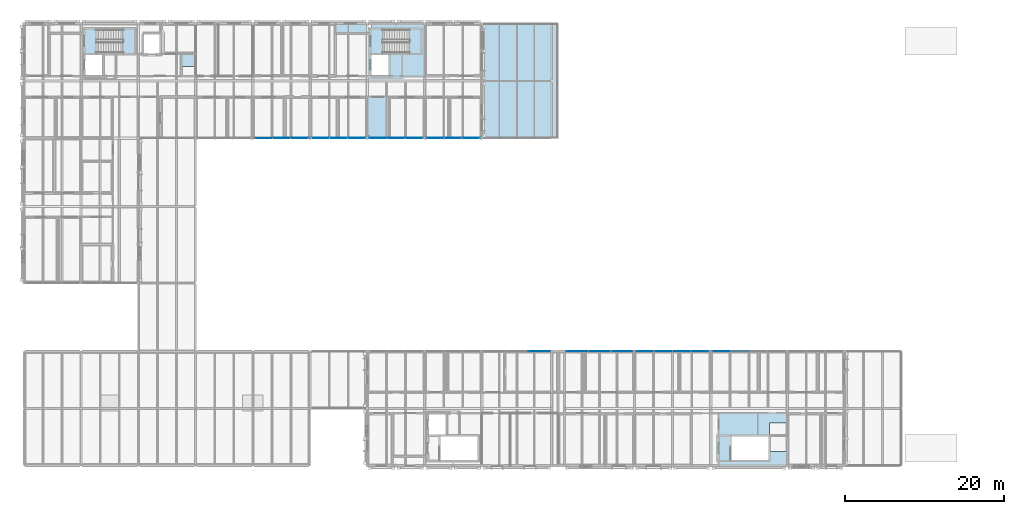
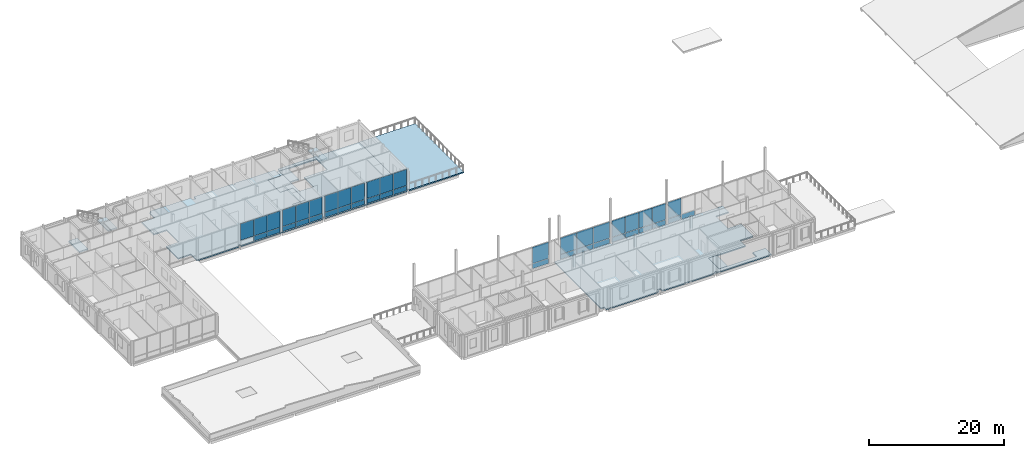
# One storey, part 34 of 57: 42 plates, 9 slabs, 10 elements without a shape of their own.
"""IFC4 building model written with IfcOpenShell, lengths in metres."""

from ifc_helpers import new_model, si_unit, direction, frame, origin, origin_2d, place, context, subcontext, project, spatial, polyline, rectangle, outline, extrude, material, layer, layer_set, type_object, element, aggregate, save


model = new_model("IFC4")

# Units and contexts
model_context = context("Model", 3, precision=1e-05, world=origin(), true_north=direction((0.0, 1.0)))
body_context = subcontext(model_context, "Body", "Model", "MODEL_VIEW")
ifc_project = project(units=[si_unit("LENGTHUNIT", "METRE"), si_unit("AREAUNIT", "SQUARE_METRE"), si_unit("VOLUMEUNIT", "CUBIC_METRE"), si_unit("PLANEANGLEUNIT", "RADIAN"), si_unit("MASSUNIT", "GRAM", prefix="KILO")], contexts=[model_context])

# Site, building, storey
site_placement = place(None, origin())
site = spatial("IfcSite", under=ifc_project, at=site_placement, CompositionType="ELEMENT")
building_placement = place(site_placement, origin())
building = spatial("IfcBuilding", under=site, at=building_placement, Name="Hawrajan Terrace Health Centre", CompositionType="ELEMENT")
storey_placement = place(building_placement, frame((0.0, 0.0, 13.199951171875)))
storey = spatial("IfcBuildingStorey", under=building, at=storey_placement, Name="L03", CompositionType="ELEMENT", Elevation=13.199951171875)

# Curtain wall, plates
ifc_material_1 = material(Name="Anodized bronze aluminium and low-E solar glazing", Category="aluminium")
curtain_wall_type_1 = type_object("IfcCurtainWallType", Name="CW_Diagnostic_SeriesM1", PredefinedType="USERDEFINED", material=ifc_material_1)
curtain_wall_1_placement = place(storey_placement, origin())
curtain_wall_1 = element("IfcCurtainWall", 1, at=curtain_wall_1_placement, inside=storey, type_object=curtain_wall_type_1, Name="Curtain wall CW-L03-167", ObjectType="UNITISED CURTAIN WALL", PredefinedType="USERDEFINED")
ifc_material_2 = material(Name="Diffused north-light insulated glazing", Category="glass")
ifc_layer_1 = layer(ifc_material_2, 0.031982421875)
ifc_layer_set_1 = layer_set([ifc_layer_1], Name="Diffused north-light insulated glazing")
plate_type_1 = type_object("IfcPlateType", Name="ClerestoryGlassPanel_32", PredefinedType="CURTAIN_PANEL", material=ifc_layer_set_1)
plate_1_placement = place(storey_placement, frame((56.31494140625, 45.39990234375, 0.9814453125), z_axis=(0.0, 0.0, 1.0), x_axis=(1.0, 0.0, 0.0)))
plate_1 = element("IfcPlate", 2, at=plate_1_placement, type_object=plate_type_1, Name="Curtain panel CW-L03-167-P1-2", PredefinedType="CURTAIN_PANEL", context=body_context, shape_type="SweptSolid", body=[
    extrude(rectangle(XDim=2.2119140625, YDim=0.031982421875, at=origin_2d()), origin(), (0.0, 0.0, 1.0), 2.929443359375),
])
plate_2_placement = place(storey_placement, frame((58.590087890625, 45.39990234375, 0.9814453125), z_axis=(0.0, 0.0, 1.0), x_axis=(1.0, 0.0, 0.0)))
plate_2 = element("IfcPlate", 3, at=plate_2_placement, type_object=plate_type_1, Name="Curtain panel CW-L03-167-P2-2", PredefinedType="CURTAIN_PANEL", context=body_context, shape_type="SweptSolid", body=[
    extrude(rectangle(XDim=2.2119140625, YDim=0.031982421875, at=origin_2d()), origin(), (0.0, 0.0, 1.0), 2.929443359375),
])
plate_3_placement = place(storey_placement, frame((60.864990234375, 45.39990234375, 0.9814453125), z_axis=(0.0, 0.0, 1.0), x_axis=(1.0, 0.0, 0.0)))
plate_3 = element("IfcPlate", 4, at=plate_3_placement, type_object=plate_type_1, Name="Curtain panel CW-L03-167-P3-2", PredefinedType="CURTAIN_PANEL", context=body_context, shape_type="SweptSolid", body=[
    extrude(rectangle(XDim=2.2119140625, YDim=0.031982421875, at=origin_2d()), origin(), (0.0, 0.0, 1.0), 2.929443359375),
])

curtain_wall_type_2 = type_object("IfcCurtainWallType", Name="CW_Court_SeriesA2", PredefinedType="USERDEFINED", material=ifc_material_1)
curtain_wall_2_placement = place(storey_placement, origin())
curtain_wall_2 = element("IfcCurtainWall", 5, at=curtain_wall_2_placement, inside=storey, type_object=curtain_wall_type_2, Name="Curtain wall CW-L03-170", ObjectType="UNITISED CURTAIN WALL", PredefinedType="USERDEFINED")
plate_4_placement = place(storey_placement, frame((82.730712890625, 18.60009765625, 0.9814453125), z_axis=(0.0, 0.0, 1.0), x_axis=(1.0, 0.0, 0.0)))
plate_4 = element("IfcPlate", 6, at=plate_4_placement, type_object=plate_type_1, Name="Curtain panel CW-L03-170-P1-2", PredefinedType="CURTAIN_PANEL", context=body_context, shape_type="SweptSolid", body=[
    extrude(rectangle(XDim=2.2431640625, YDim=0.031982421875, at=origin_2d()), origin(), (0.0, 0.0, 1.0), 2.949462890625),
])
plate_5_placement = place(storey_placement, frame((85.036865234375, 18.60009765625, 0.9814453125), z_axis=(0.0, 0.0, 1.0), x_axis=(1.0, 0.0, 0.0)))
plate_5 = element("IfcPlate", 7, at=plate_5_placement, type_object=plate_type_1, Name="Curtain panel CW-L03-170-P2-2", PredefinedType="CURTAIN_PANEL", context=body_context, shape_type="SweptSolid", body=[
    extrude(rectangle(XDim=2.2431640625, YDim=0.031982421875, at=origin_2d()), origin(), (0.0, 0.0, 1.0), 2.949462890625),
])
plate_6_placement = place(storey_placement, frame((87.343017578125, 18.60009765625, 0.9814453125), z_axis=(0.0, 0.0, 1.0), x_axis=(1.0, 0.0, 0.0)))
plate_6 = element("IfcPlate", 8, at=plate_6_placement, type_object=plate_type_1, Name="Curtain panel CW-L03-170-P3-2", PredefinedType="CURTAIN_PANEL", context=body_context, shape_type="SweptSolid", body=[
    extrude(rectangle(XDim=2.243408203125, YDim=0.031982421875, at=origin_2d()), origin(), (0.0, 0.0, 1.0), 2.949462890625),
])
plate_7_placement = place(storey_placement, frame((89.6494140625, 18.60009765625, 0.9814453125), z_axis=(0.0, 0.0, 1.0), x_axis=(1.0, 0.0, 0.0)))
plate_7 = element("IfcPlate", 9, at=plate_7_placement, type_object=plate_type_1, Name="Curtain panel CW-L03-170-P4-2", PredefinedType="CURTAIN_PANEL", context=body_context, shape_type="SweptSolid", body=[
    extrude(rectangle(XDim=2.243408203125, YDim=0.031982421875, at=origin_2d()), origin(), (0.0, 0.0, 1.0), 2.949462890625),
])

# Slabs
ifc_material_3 = material(Name="Cross-laminated timber CLT C24", Category="wood")
ifc_layer_2 = layer(ifc_material_3, 0.2099609375)
ifc_layer_set_2 = layer_set([ifc_layer_2], Name="Cross-laminated timber CLT C24")
slab_type_1 = type_object("IfcSlabType", Name="FloorSlab_CLT210", PredefinedType="FLOOR", material=ifc_layer_set_2)
slab_1_placement = place(storey_placement, frame((0.0, 0.0, -0.2099609375)))
element("IfcSlab", 10, at=slab_1_placement, inside=storey, type_object=slab_type_1, Name="Structural slab SL-L03-C-V3-Z3-1", PredefinedType="FLOOR", context=body_context, shape_type="SweptSolid", body=[
    extrude(outline(polyline([(71.804931640625, 18.60009765625), (81.39990234375, 18.60009765625), (81.39990234375, 18.320068359375), (81.679931640625, 18.320068359375), (81.679931640625, 18.60009765625), (91.0, 18.60009765625), (100.60009765625, 18.60009765625), (100.60009765625, 18.320068359375), (100.60009765625, 16.800048828125), (98.39990234375, 16.800048828125), (98.39990234375, 13.199951171875), (100.60009765625, 13.199951171875), (100.60009765625, 11.39990234375), (100.60009765625, 9.60009765625), (98.39990234375, 9.60009765625), (98.39990234375, 8.0), (92.0, 8.0), (92.0, 4.800048828125), (98.39990234375, 4.800048828125), (98.39990234375, 6.0), (100.60009765625, 6.0), (100.60009765625, 4.199951171875), (91.280029296875, 4.199951171875), (91.280029296875, 4.47998046875), (91.0, 4.47998046875), (91.0, 4.199951171875), (81.949951171875, 4.199951171875), (81.949951171875, 4.75), (81.39990234375, 4.75), (81.39990234375, 4.199951171875), (72.35009765625, 4.199951171875), (72.35009765625, 4.75), (71.804931640625, 4.75), (71.804931640625, 11.39990234375), (71.804931640625, 18.60009765625)])), origin(), (0.0, 0.0, 1.0), 0.2099609375),
])
slab_2_placement = place(storey_placement, frame((0.0, 0.0, -0.2099609375)))
element("IfcSlab", 11, at=slab_2_placement, inside=storey, type_object=slab_type_1, Name="Structural slab SL-L03-W-V2-Z1-1", PredefinedType="FLOOR", context=body_context, shape_type="SweptSolid", body=[
    extrude(outline(polyline([(26.47998046875, 59.52001953125), (26.47998046875, 59.800048828125), (33.39990234375, 59.800048828125), (33.39990234375, 59.25), (33.949951171875, 59.25), (33.949951171875, 59.800048828125), (40.60009765625, 59.800048828125), (40.60009765625, 59.52001953125), (40.8798828125, 59.52001953125), (40.8798828125, 59.800048828125), (47.800048828125, 59.800048828125), (47.800048828125, 59.25), (47.800048828125, 58.0), (45.60009765625, 58.0), (45.60009765625, 54.39990234375), (47.800048828125, 54.39990234375), (47.800048828125, 52.60009765625), (47.800048828125, 50.800048828125), (45.60009765625, 50.800048828125), (45.60009765625, 47.199951171875), (47.800048828125, 47.199951171875), (47.800048828125, 45.679931640625), (47.800048828125, 45.39990234375), (40.60009765625, 45.39990234375), (33.679931640625, 45.39990234375), (33.679931640625, 45.679931640625), (33.39990234375, 45.679931640625), (33.39990234375, 45.39990234375), (26.201904296875, 45.39990234375), (26.201904296875, 47.201904296875), (24.001953125, 47.201904296875), (24.001953125, 50.798095703125), (26.201904296875, 50.798095703125), (26.201904296875, 54.402099609375), (24.001953125, 54.402099609375), (24.001953125, 57.998046875), (26.201904296875, 57.998046875), (26.201904296875, 59.52001953125), (26.47998046875, 59.52001953125)])), origin(), (0.0, 0.0, 1.0), 0.2099609375),
])
slab_3_placement = place(storey_placement, frame((0.0, 0.0, -0.2099609375)))
element("IfcSlab", 12, at=slab_3_placement, inside=storey, type_object=slab_type_1, Name="Structural slab SL-L03-W-V2-Z2-1", PredefinedType="FLOOR", context=body_context, shape_type="SweptSolid", body=[
    extrude(outline(polyline([(48.35009765625, 59.25), (48.35009765625, 59.800048828125), (55.0, 59.800048828125), (55.0, 59.52001953125), (55.280029296875, 59.52001953125), (55.280029296875, 59.800048828125), (62.199951171875, 59.800048828125), (62.199951171875, 52.60009765625), (62.199951171875, 45.679931640625), (62.199951171875, 45.39990234375), (55.0, 45.39990234375), (48.080078125, 45.39990234375), (48.080078125, 45.679931640625), (47.802001953125, 45.679931640625), (47.802001953125, 47.201904296875), (45.60205078125, 47.201904296875), (45.60205078125, 50.798095703125), (47.802001953125, 50.798095703125), (47.802001953125, 54.402099609375), (45.60205078125, 54.402099609375), (45.60205078125, 57.998046875), (47.802001953125, 57.998046875), (47.802001953125, 59.25), (48.35009765625, 59.25)]), holes=[polyline([(48.199951171875, 59.199951171875), (48.199951171875, 56.0), (48.199951171875, 53.199951171875), (50.60009765625, 53.199951171875), (50.60009765625, 56.0), (54.60009765625, 56.0), (54.60009765625, 59.199951171875), (48.199951171875, 59.199951171875)])]), origin(), (0.0, 0.0, 1.0), 0.2099609375),
])

# Curtain wall, plates
curtain_wall_type_3 = type_object("IfcCurtainWallType", Name="CW_Clerestory_SeriesG3", PredefinedType="USERDEFINED", material=ifc_material_1)
curtain_wall_3_placement = place(storey_placement, origin())
curtain_wall_3 = element("IfcCurtainWall", 13, at=curtain_wall_3_placement, inside=storey, type_object=curtain_wall_type_3, Name="Curtain wall CW-L03-162", ObjectType="UNITISED CURTAIN WALL", PredefinedType="USERDEFINED")
ifc_material_4 = material(Name="Insulated anodized bronze spandrel panel")
ifc_layer_3 = layer(ifc_material_4, 0.048095703125)
ifc_layer_set_3 = layer_set([ifc_layer_3], Name="Insulated anodized bronze spandrel panel")
plate_type_2 = type_object("IfcPlateType", Name="SpandrelPanel_Bronze48", PredefinedType="CURTAIN_PANEL", material=ifc_layer_set_3)
plate_8_placement = place(storey_placement, frame((37.010009765625, 45.39990234375, 0.05908203125), z_axis=(0.0, 0.0, 1.0), x_axis=(1.0, 0.0, 0.0)))
plate_8 = element("IfcPlate", 14, at=plate_8_placement, type_object=plate_type_2, Name="Curtain panel CW-L03-162-P2-1", PredefinedType="CURTAIN_PANEL", context=body_context, shape_type="SweptSolid", body=[
    extrude(rectangle(XDim=2.225341796875, YDim=0.048095703125, at=origin_2d()), origin(), (0.0, 0.0, 1.0), 0.864501953125),
])
plate_9_placement = place(storey_placement, frame((39.288330078125, 45.39990234375, 0.05908203125), z_axis=(0.0, 0.0, 1.0), x_axis=(1.0, 0.0, 0.0)))
plate_9 = element("IfcPlate", 15, at=plate_9_placement, type_object=plate_type_2, Name="Curtain panel CW-L03-162-P3-1", PredefinedType="CURTAIN_PANEL", context=body_context, shape_type="SweptSolid", body=[
    extrude(rectangle(XDim=2.225341796875, YDim=0.048095703125, at=origin_2d()), origin(), (0.0, 0.0, 1.0), 0.864501953125),
])

# Curtain wall, plate
curtain_wall_type_4 = type_object("IfcCurtainWallType", Name="CW_Diagnostic_SeriesM2", PredefinedType="USERDEFINED", material=ifc_material_1)
curtain_wall_4_placement = place(storey_placement, origin())
curtain_wall_4 = element("IfcCurtainWall", 16, at=curtain_wall_4_placement, inside=storey, type_object=curtain_wall_type_4, Name="Curtain wall CW-L03-168", ObjectType="UNITISED CURTAIN WALL", PredefinedType="USERDEFINED")
plate_10_placement = place(storey_placement, frame((69.401611328125, 18.60009765625, 0.05908203125), z_axis=(0.0, 0.0, 1.0), x_axis=(1.0, 0.0, 0.0)))
plate_10 = element("IfcPlate", 17, at=plate_10_placement, type_object=plate_type_2, Name="Curtain panel CW-L03-168-P3-1", PredefinedType="CURTAIN_PANEL", context=body_context, shape_type="SweptSolid", body=[
    extrude(rectangle(XDim=2.7587890625, YDim=0.048095703125, at=origin_2d()), origin(), (0.0, 0.0, 1.0), 0.864501953125),
])

# Plate
plate_11_placement = place(storey_placement, frame((82.730712890625, 18.60009765625, 0.06884765625), z_axis=(0.0, 0.0, 1.0), x_axis=(1.0, 0.0, 0.0)))
plate_11 = element("IfcPlate", 18, at=plate_11_placement, type_object=plate_type_2, Name="Curtain panel CW-L03-170-P1-1", PredefinedType="CURTAIN_PANEL", context=body_context, shape_type="SweptSolid", body=[
    extrude(rectangle(XDim=2.2431640625, YDim=0.048095703125, at=origin_2d()), origin(), (0.0, 0.0, 1.0), 0.849609375),
])

plate_12_placement = place(storey_placement, frame((85.036865234375, 18.60009765625, 0.06884765625), z_axis=(0.0, 0.0, 1.0), x_axis=(1.0, 0.0, 0.0)))
plate_12 = element("IfcPlate", 19, at=plate_12_placement, type_object=plate_type_2, Name="Curtain panel CW-L03-170-P2-1", PredefinedType="CURTAIN_PANEL", context=body_context, shape_type="SweptSolid", body=[
    extrude(rectangle(XDim=2.2431640625, YDim=0.048095703125, at=origin_2d()), origin(), (0.0, 0.0, 1.0), 0.849609375),
])

plate_13_placement = place(storey_placement, frame((87.343017578125, 18.60009765625, 0.06884765625), z_axis=(0.0, 0.0, 1.0), x_axis=(1.0, 0.0, 0.0)))
plate_13 = element("IfcPlate", 20, at=plate_13_placement, type_object=plate_type_2, Name="Curtain panel CW-L03-170-P3-1", PredefinedType="CURTAIN_PANEL", context=body_context, shape_type="SweptSolid", body=[
    extrude(rectangle(XDim=2.243408203125, YDim=0.048095703125, at=origin_2d()), origin(), (0.0, 0.0, 1.0), 0.849609375),
])

plate_14_placement = place(storey_placement, frame((89.6494140625, 18.60009765625, 0.06884765625), z_axis=(0.0, 0.0, 1.0), x_axis=(1.0, 0.0, 0.0)))
plate_14 = element("IfcPlate", 21, at=plate_14_placement, type_object=plate_type_2, Name="Curtain panel CW-L03-170-P4-1", PredefinedType="CURTAIN_PANEL", context=body_context, shape_type="SweptSolid", body=[
    extrude(rectangle(XDim=2.243408203125, YDim=0.048095703125, at=origin_2d()), origin(), (0.0, 0.0, 1.0), 0.849609375),
])

aggregate(curtain_wall_2, [plate_11, plate_4, plate_12, plate_5, plate_13, plate_6, plate_14, plate_7])

# Curtain wall, plates
curtain_wall_type_5 = type_object("IfcCurtainWallType", Name="CW_Vestibule_SeriesH1", PredefinedType="USERDEFINED", material=ifc_material_1)
curtain_wall_5_placement = place(storey_placement, origin())
curtain_wall_5 = element("IfcCurtainWall", 22, at=curtain_wall_5_placement, inside=storey, type_object=curtain_wall_type_5, Name="Curtain wall CW-L03-163", ObjectType="UNITISED CURTAIN WALL", PredefinedType="USERDEFINED")
ifc_material_5 = material(Name="Insulated reconstituted coral-stone spandrel", Category="masonry")
ifc_layer_4 = layer(ifc_material_5, 0.055908203125)
ifc_layer_set_4 = layer_set([ifc_layer_4], Name="Insulated reconstituted coral-stone spandrel")
plate_type_3 = type_object("IfcPlateType", Name="SpandrelPanel_Coral56", PredefinedType="CURTAIN_PANEL", material=ifc_layer_set_4)
plate_15_placement = place(storey_placement, frame((41.91162109375, 45.39990234375, 0.05908203125), z_axis=(0.0, 0.0, 1.0), x_axis=(1.0, 0.0, 0.0)))
plate_15 = element("IfcPlate", 23, at=plate_15_placement, type_object=plate_type_3, Name="Curtain panel CW-L03-163-P1-1", PredefinedType="CURTAIN_PANEL", context=body_context, shape_type="SweptSolid", body=[
    extrude(rectangle(XDim=2.225341796875, YDim=0.055908203125, at=origin_2d()), origin(), (0.0, 0.0, 1.0), 0.864501953125),
])
plate_16_placement = place(storey_placement, frame((44.18994140625, 45.39990234375, 0.05908203125), z_axis=(0.0, 0.0, 1.0), x_axis=(1.0, 0.0, 0.0)))
plate_16 = element("IfcPlate", 24, at=plate_16_placement, type_object=plate_type_3, Name="Curtain panel CW-L03-163-P2-1", PredefinedType="CURTAIN_PANEL", context=body_context, shape_type="SweptSolid", body=[
    extrude(rectangle(XDim=2.225341796875, YDim=0.055908203125, at=origin_2d()), origin(), (0.0, 0.0, 1.0), 0.864501953125),
])
plate_17_placement = place(storey_placement, frame((46.46826171875, 45.39990234375, 0.05908203125), z_axis=(0.0, 0.0, 1.0), x_axis=(1.0, 0.0, 0.0)))
plate_17 = element("IfcPlate", 25, at=plate_17_placement, type_object=plate_type_3, Name="Curtain panel CW-L03-163-P3-1", PredefinedType="CURTAIN_PANEL", context=body_context, shape_type="SweptSolid", body=[
    extrude(rectangle(XDim=2.225341796875, YDim=0.055908203125, at=origin_2d()), origin(), (0.0, 0.0, 1.0), 0.864501953125),
])

curtain_wall_type_6 = type_object("IfcCurtainWallType", Name="CW_Terrace_SeriesK1", PredefinedType="USERDEFINED", material=ifc_material_1)
curtain_wall_6_placement = place(storey_placement, origin())
curtain_wall_6 = element("IfcCurtainWall", 26, at=curtain_wall_6_placement, inside=storey, type_object=curtain_wall_type_6, Name="Curtain wall CW-L03-165", ObjectType="UNITISED CURTAIN WALL", PredefinedType="USERDEFINED")
plate_18_placement = place(storey_placement, frame((49.131591796875, 45.39990234375, 0.05908203125), z_axis=(0.0, 0.0, 1.0), x_axis=(1.0, 0.0, 0.0)))
plate_18 = element("IfcPlate", 27, at=plate_18_placement, type_object=plate_type_3, Name="Curtain panel CW-L03-165-P1-1", PredefinedType="CURTAIN_PANEL", context=body_context, shape_type="SweptSolid", body=[
    extrude(rectangle(XDim=2.225341796875, YDim=0.055908203125, at=origin_2d()), origin(), (0.0, 0.0, 1.0), 0.864501953125),
])
plate_19_placement = place(storey_placement, frame((51.409912109375, 45.39990234375, 0.05908203125), z_axis=(0.0, 0.0, 1.0), x_axis=(1.0, 0.0, 0.0)))
plate_19 = element("IfcPlate", 28, at=plate_19_placement, type_object=plate_type_3, Name="Curtain panel CW-L03-165-P2-1", PredefinedType="CURTAIN_PANEL", context=body_context, shape_type="SweptSolid", body=[
    extrude(rectangle(XDim=2.225341796875, YDim=0.055908203125, at=origin_2d()), origin(), (0.0, 0.0, 1.0), 0.864501953125),
])
plate_20_placement = place(storey_placement, frame((53.688232421875, 45.39990234375, 0.05908203125), z_axis=(0.0, 0.0, 1.0), x_axis=(1.0, 0.0, 0.0)))
plate_20 = element("IfcPlate", 29, at=plate_20_placement, type_object=plate_type_3, Name="Curtain panel CW-L03-165-P3-1", PredefinedType="CURTAIN_PANEL", context=body_context, shape_type="SweptSolid", body=[
    extrude(rectangle(XDim=2.225341796875, YDim=0.055908203125, at=origin_2d()), origin(), (0.0, 0.0, 1.0), 0.864501953125),
])

# Plate
plate_21_placement = place(storey_placement, frame((56.31494140625, 45.39990234375, 0.06884765625), z_axis=(0.0, 0.0, 1.0), x_axis=(1.0, 0.0, 0.0)))
plate_21 = element("IfcPlate", 30, at=plate_21_placement, type_object=plate_type_3, Name="Curtain panel CW-L03-167-P1-1", PredefinedType="CURTAIN_PANEL", context=body_context, shape_type="SweptSolid", body=[
    extrude(rectangle(XDim=2.2119140625, YDim=0.055908203125, at=origin_2d()), origin(), (0.0, 0.0, 1.0), 0.849609375),
])

plate_22_placement = place(storey_placement, frame((58.590087890625, 45.39990234375, 0.06884765625), z_axis=(0.0, 0.0, 1.0), x_axis=(1.0, 0.0, 0.0)))
plate_22 = element("IfcPlate", 31, at=plate_22_placement, type_object=plate_type_3, Name="Curtain panel CW-L03-167-P2-1", PredefinedType="CURTAIN_PANEL", context=body_context, shape_type="SweptSolid", body=[
    extrude(rectangle(XDim=2.2119140625, YDim=0.055908203125, at=origin_2d()), origin(), (0.0, 0.0, 1.0), 0.849609375),
])

plate_23_placement = place(storey_placement, frame((60.864990234375, 45.39990234375, 0.06884765625), z_axis=(0.0, 0.0, 1.0), x_axis=(1.0, 0.0, 0.0)))
plate_23 = element("IfcPlate", 32, at=plate_23_placement, type_object=plate_type_3, Name="Curtain panel CW-L03-167-P3-1", PredefinedType="CURTAIN_PANEL", context=body_context, shape_type="SweptSolid", body=[
    extrude(rectangle(XDim=2.2119140625, YDim=0.055908203125, at=origin_2d()), origin(), (0.0, 0.0, 1.0), 0.849609375),
])

aggregate(curtain_wall_1, [plate_21, plate_1, plate_22, plate_2, plate_23, plate_3])

# Curtain wall, plates
curtain_wall_type_7 = type_object("IfcCurtainWallType", Name="CW_Court_SeriesA1", PredefinedType="USERDEFINED", material=ifc_material_1)
curtain_wall_7_placement = place(storey_placement, origin())
curtain_wall_7 = element("IfcCurtainWall", 33, at=curtain_wall_7_placement, inside=storey, type_object=curtain_wall_type_7, Name="Curtain wall CW-L03-169", ObjectType="UNITISED CURTAIN WALL", PredefinedType="USERDEFINED")
plate_24_placement = place(storey_placement, frame((74.1982421875, 18.60009765625, 0.05908203125), z_axis=(0.0, 0.0, 1.0), x_axis=(1.0, 0.0, 0.0)))
plate_24 = element("IfcPlate", 34, at=plate_24_placement, type_object=plate_type_3, Name="Curtain panel CW-L03-169-P1-1", PredefinedType="CURTAIN_PANEL", context=body_context, shape_type="SweptSolid", body=[
    extrude(rectangle(XDim=2.7587890625, YDim=0.055908203125, at=origin_2d()), origin(), (0.0, 0.0, 1.0), 0.864501953125),
])
plate_25_placement = place(storey_placement, frame((77.010009765625, 18.60009765625, 0.05908203125), z_axis=(0.0, 0.0, 1.0), x_axis=(1.0, 0.0, 0.0)))
plate_25 = element("IfcPlate", 35, at=plate_25_placement, type_object=plate_type_3, Name="Curtain panel CW-L03-169-P2-1", PredefinedType="CURTAIN_PANEL", context=body_context, shape_type="SweptSolid", body=[
    extrude(rectangle(XDim=2.7587890625, YDim=0.055908203125, at=origin_2d()), origin(), (0.0, 0.0, 1.0), 0.864501953125),
])
plate_26_placement = place(storey_placement, frame((79.82177734375, 18.60009765625, 0.05908203125), z_axis=(0.0, 0.0, 1.0), x_axis=(1.0, 0.0, 0.0)))
plate_26 = element("IfcPlate", 36, at=plate_26_placement, type_object=plate_type_3, Name="Curtain panel CW-L03-169-P3-1", PredefinedType="CURTAIN_PANEL", context=body_context, shape_type="SweptSolid", body=[
    extrude(rectangle(XDim=2.7587890625, YDim=0.055908203125, at=origin_2d()), origin(), (0.0, 0.0, 1.0), 0.864501953125),
])

curtain_wall_type_8 = type_object("IfcCurtainWallType", Name="CW_Court_SeriesA3", PredefinedType="USERDEFINED", material=ifc_material_1)
curtain_wall_8_placement = place(storey_placement, origin())
curtain_wall_8 = element("IfcCurtainWall", 37, at=curtain_wall_8_placement, inside=storey, type_object=curtain_wall_type_8, Name="Curtain wall CW-L03-171", ObjectType="UNITISED CURTAIN WALL", PredefinedType="USERDEFINED")
plate_27_placement = place(storey_placement, frame((92.346923828125, 18.60009765625, 0.05908203125), z_axis=(0.0, 0.0, 1.0), x_axis=(1.0, 0.0, 0.0)))
plate_27 = element("IfcPlate", 38, at=plate_27_placement, type_object=plate_type_3, Name="Curtain panel CW-L03-171-P1-1", PredefinedType="CURTAIN_PANEL", context=body_context, shape_type="SweptSolid", body=[
    extrude(rectangle(XDim=2.255615234375, YDim=0.055908203125, at=origin_2d()), origin(), (0.0, 0.0, 1.0), 0.864501953125),
])
plate_28_placement = place(storey_placement, frame((94.655517578125, 18.60009765625, 0.05908203125), z_axis=(0.0, 0.0, 1.0), x_axis=(1.0, 0.0, 0.0)))
plate_28 = element("IfcPlate", 39, at=plate_28_placement, type_object=plate_type_3, Name="Curtain panel CW-L03-171-P2-1", PredefinedType="CURTAIN_PANEL", context=body_context, shape_type="SweptSolid", body=[
    extrude(rectangle(XDim=2.255615234375, YDim=0.055908203125, at=origin_2d()), origin(), (0.0, 0.0, 1.0), 0.864501953125),
])

# Stair, slabs
ifc_material_6 = material(Name="Concrete C40/50", Category="concrete")
stair_type = type_object("IfcStairType", Name="Stair_4200_W1300", PredefinedType="HALF_TURN_STAIR", material=ifc_material_6)
stair_1_placement = place(storey_placement, origin())
stair_1 = element("IfcStair", 40, at=stair_1_placement, inside=storey, type_object=stair_type, Name="Stair ST-1-L03", PredefinedType="HALF_TURN_STAIR")
ifc_layer_5 = layer(ifc_material_6, 0.219970703125)
ifc_layer_set_5 = layer_set([ifc_layer_5], Name="Concrete C40/50")
slab_type_2 = type_object("IfcSlabType", Name="StairLanding_RC220", PredefinedType="LANDING", material=ifc_layer_set_5)
slab_4_placement = place(storey_placement, frame((0.0, 0.0, -0.219970703125)))
slab_4 = element("IfcSlab", 41, at=slab_4_placement, type_object=slab_type_2, Name="Stair floor landing ST-1-L03-L0", PredefinedType="LANDING", context=body_context, shape_type="SweptSolid", body=[
    extrude(outline(polyline([(12.199951171875, 56.0), (13.699951171875, 56.0), (13.699951171875, 59.199951171875), (12.199951171875, 59.199951171875), (12.199951171875, 56.0)])), origin(), (0.0, 0.0, 1.0), 0.219970703125),
])
slab_5_placement = place(storey_placement, frame((0.0, 0.0, 1.880126953125)))
slab_5 = element("IfcSlab", 42, at=slab_5_placement, type_object=slab_type_2, Name="Stair half landing ST-1-L03-L1", PredefinedType="LANDING", context=body_context, shape_type="SweptSolid", body=[
    extrude(outline(polyline([(17.10009765625, 56.0), (18.60009765625, 56.0), (18.60009765625, 59.199951171875), (17.10009765625, 59.199951171875), (17.10009765625, 56.0)])), origin(), (0.0, 0.0, 1.0), 0.219970703125),
])
aggregate(stair_1, [slab_4, slab_5])

stair_2_placement = place(storey_placement, origin())
stair_2 = element("IfcStair", 43, at=stair_2_placement, inside=storey, type_object=stair_type, Name="Stair ST-2-L03", PredefinedType="HALF_TURN_STAIR")
slab_6_placement = place(storey_placement, frame((0.0, 0.0, -0.219970703125)))
slab_6 = element("IfcSlab", 44, at=slab_6_placement, type_object=slab_type_2, Name="Stair floor landing ST-2-L03-L0", PredefinedType="LANDING", context=body_context, shape_type="SweptSolid", body=[
    extrude(outline(polyline([(48.199951171875, 56.0), (49.699951171875, 56.0), (49.699951171875, 59.199951171875), (48.199951171875, 59.199951171875), (48.199951171875, 56.0)])), origin(), (0.0, 0.0, 1.0), 0.219970703125),
])
slab_7_placement = place(storey_placement, frame((0.0, 0.0, 1.880126953125)))
slab_7 = element("IfcSlab", 45, at=slab_7_placement, type_object=slab_type_2, Name="Stair half landing ST-2-L03-L1", PredefinedType="LANDING", context=body_context, shape_type="SweptSolid", body=[
    extrude(outline(polyline([(53.10009765625, 56.0), (54.60009765625, 56.0), (54.60009765625, 59.199951171875), (53.10009765625, 59.199951171875), (53.10009765625, 56.0)])), origin(), (0.0, 0.0, 1.0), 0.219970703125),
])
aggregate(stair_2, [slab_6, slab_7])

# Slabs
slab_8_placement = place(storey_placement, frame((0.0, 0.0, -0.219970703125)))
element("IfcSlab", 46, at=slab_8_placement, inside=storey, type_object=slab_type_2, Name="Stair top arrival landing ST-5", PredefinedType="LANDING", context=body_context, shape_type="SweptSolid", body=[
    extrude(outline(polyline([(92.0, 4.800048828125), (93.5, 4.800048828125), (93.5, 8.0), (92.0, 8.0), (92.0, 4.800048828125)])), origin(), (0.0, 0.0, 1.0), 0.219970703125),
])
ifc_layer_6 = layer(ifc_material_3, 0.219970703125)
ifc_layer_set_6 = layer_set([ifc_layer_6], Name="Cross-laminated timber CLT C24")
slab_type_3 = type_object("IfcSlabType", Name="TerraceDeck_CLT220", PredefinedType="FLOOR", material=ifc_layer_set_6)
slab_9_placement = place(storey_placement, frame((0.0, 0.0, -0.219970703125)))
element("IfcSlab", 47, at=slab_9_placement, inside=storey, type_object=slab_type_3, Name="External terrace deck TR-L03-TERR-L03-V2E-W-1", PredefinedType="FLOOR", context=body_context, shape_type="SweptSolid", body=[
    extrude(outline(polyline([(62.47998046875, 45.39990234375), (62.47998046875, 45.679931640625), (62.199951171875, 45.679931640625), (62.199951171875, 52.60009765625), (62.199951171875, 59.800048828125), (71.794921875, 59.800048828125), (71.794921875, 52.60009765625), (71.794921875, 45.39990234375), (62.47998046875, 45.39990234375)])), origin(), (0.0, 0.0, 1.0), 0.219970703125),
])

# Plate
ifc_material_7 = material(Name="Double-glazed solar control low-E glass", Category="glass")
ifc_layer_7 = layer(ifc_material_7, 0.028076171875)
ifc_layer_set_7 = layer_set([ifc_layer_7], Name="Double-glazed solar control low-E glass")
plate_type_4 = type_object("IfcPlateType", Name="VisionGlassPanel_28", PredefinedType="CURTAIN_PANEL", material=ifc_layer_set_7)
plate_29_placement = place(storey_placement, frame((34.731689453125, 45.39990234375, 0.9765625), z_axis=(0.0, 0.0, 1.0), x_axis=(1.0, 0.0, 0.0)))
plate_29 = element("IfcPlate", 48, at=plate_29_placement, type_object=plate_type_4, Name="Curtain panel CW-L03-162-P1-2", PredefinedType="CURTAIN_PANEL", context=body_context, shape_type="SweptSolid", body=[
    extrude(rectangle(XDim=2.225341796875, YDim=0.028076171875, at=origin_2d()), origin(), (0.0, 0.0, 1.0), 2.974609375),
])

plate_30_placement = place(storey_placement, frame((37.010009765625, 45.39990234375, 0.9765625), z_axis=(0.0, 0.0, 1.0), x_axis=(1.0, 0.0, 0.0)))
plate_30 = element("IfcPlate", 49, at=plate_30_placement, type_object=plate_type_4, Name="Curtain panel CW-L03-162-P2-2", PredefinedType="CURTAIN_PANEL", context=body_context, shape_type="SweptSolid", body=[
    extrude(rectangle(XDim=2.225341796875, YDim=0.028076171875, at=origin_2d()), origin(), (0.0, 0.0, 1.0), 2.974609375),
])

plate_31_placement = place(storey_placement, frame((39.288330078125, 45.39990234375, 0.9765625), z_axis=(0.0, 0.0, 1.0), x_axis=(1.0, 0.0, 0.0)))
plate_31 = element("IfcPlate", 50, at=plate_31_placement, type_object=plate_type_4, Name="Curtain panel CW-L03-162-P3-2", PredefinedType="CURTAIN_PANEL", context=body_context, shape_type="SweptSolid", body=[
    extrude(rectangle(XDim=2.225341796875, YDim=0.028076171875, at=origin_2d()), origin(), (0.0, 0.0, 1.0), 2.974609375),
])

aggregate(curtain_wall_3, [plate_29, plate_8, plate_30, plate_9, plate_31])

plate_32_placement = place(storey_placement, frame((49.131591796875, 45.39990234375, 0.9765625), z_axis=(0.0, 0.0, 1.0), x_axis=(1.0, 0.0, 0.0)))
plate_32 = element("IfcPlate", 51, at=plate_32_placement, type_object=plate_type_4, Name="Curtain panel CW-L03-165-P1-2", PredefinedType="CURTAIN_PANEL", context=body_context, shape_type="SweptSolid", body=[
    extrude(rectangle(XDim=2.225341796875, YDim=0.028076171875, at=origin_2d()), origin(), (0.0, 0.0, 1.0), 2.974609375),
])

plate_33_placement = place(storey_placement, frame((51.409912109375, 45.39990234375, 0.9765625), z_axis=(0.0, 0.0, 1.0), x_axis=(1.0, 0.0, 0.0)))
plate_33 = element("IfcPlate", 52, at=plate_33_placement, type_object=plate_type_4, Name="Curtain panel CW-L03-165-P2-2", PredefinedType="CURTAIN_PANEL", context=body_context, shape_type="SweptSolid", body=[
    extrude(rectangle(XDim=2.225341796875, YDim=0.028076171875, at=origin_2d()), origin(), (0.0, 0.0, 1.0), 2.974609375),
])

plate_34_placement = place(storey_placement, frame((53.688232421875, 45.39990234375, 0.9765625), z_axis=(0.0, 0.0, 1.0), x_axis=(1.0, 0.0, 0.0)))
plate_34 = element("IfcPlate", 53, at=plate_34_placement, type_object=plate_type_4, Name="Curtain panel CW-L03-165-P3-2", PredefinedType="CURTAIN_PANEL", context=body_context, shape_type="SweptSolid", body=[
    extrude(rectangle(XDim=2.225341796875, YDim=0.028076171875, at=origin_2d()), origin(), (0.0, 0.0, 1.0), 2.974609375),
])

aggregate(curtain_wall_6, [plate_18, plate_32, plate_19, plate_33, plate_20, plate_34])

plate_35_placement = place(storey_placement, frame((69.401611328125, 18.60009765625, 0.9765625), z_axis=(0.0, 0.0, 1.0), x_axis=(1.0, 0.0, 0.0)))
plate_35 = element("IfcPlate", 54, at=plate_35_placement, type_object=plate_type_4, Name="Curtain panel CW-L03-168-P3-2", PredefinedType="CURTAIN_PANEL", context=body_context, shape_type="SweptSolid", body=[
    extrude(rectangle(XDim=2.7587890625, YDim=0.028076171875, at=origin_2d()), origin(), (0.0, 0.0, 1.0), 2.964599609375),
])

aggregate(curtain_wall_4, [plate_10, plate_35])

plate_36_placement = place(storey_placement, frame((92.346923828125, 18.60009765625, 0.9765625), z_axis=(0.0, 0.0, 1.0), x_axis=(1.0, 0.0, 0.0)))
plate_36 = element("IfcPlate", 55, at=plate_36_placement, type_object=plate_type_4, Name="Curtain panel CW-L03-171-P1-2", PredefinedType="CURTAIN_PANEL", context=body_context, shape_type="SweptSolid", body=[
    extrude(rectangle(XDim=2.255615234375, YDim=0.028076171875, at=origin_2d()), origin(), (0.0, 0.0, 1.0), 2.964599609375),
])

aggregate(curtain_wall_8, [plate_27, plate_36, plate_28])

ifc_material_8 = material(Name="Triple-glazed solar acoustic low-E glass", Category="glass")
ifc_layer_8 = layer(ifc_material_8, 0.035888671875)
ifc_layer_set_8 = layer_set([ifc_layer_8], Name="Triple-glazed solar acoustic low-E glass")
plate_type_5 = type_object("IfcPlateType", Name="VisionGlassPanel_36", PredefinedType="CURTAIN_PANEL", material=ifc_layer_set_8)
plate_37_placement = place(storey_placement, frame((41.91162109375, 45.39990234375, 0.9765625), z_axis=(0.0, 0.0, 1.0), x_axis=(1.0, 0.0, 0.0)))
plate_37 = element("IfcPlate", 56, at=plate_37_placement, type_object=plate_type_5, Name="Curtain panel CW-L03-163-P1-2", PredefinedType="CURTAIN_PANEL", context=body_context, shape_type="SweptSolid", body=[
    extrude(rectangle(XDim=2.225341796875, YDim=0.035888671875, at=origin_2d()), origin(), (0.0, 0.0, 1.0), 2.974609375),
])

plate_38_placement = place(storey_placement, frame((44.18994140625, 45.39990234375, 0.9765625), z_axis=(0.0, 0.0, 1.0), x_axis=(1.0, 0.0, 0.0)))
plate_38 = element("IfcPlate", 57, at=plate_38_placement, type_object=plate_type_5, Name="Curtain panel CW-L03-163-P2-2", PredefinedType="CURTAIN_PANEL", context=body_context, shape_type="SweptSolid", body=[
    extrude(rectangle(XDim=2.225341796875, YDim=0.035888671875, at=origin_2d()), origin(), (0.0, 0.0, 1.0), 2.974609375),
])

plate_39_placement = place(storey_placement, frame((46.46826171875, 45.39990234375, 0.9765625), z_axis=(0.0, 0.0, 1.0), x_axis=(1.0, 0.0, 0.0)))
plate_39 = element("IfcPlate", 58, at=plate_39_placement, type_object=plate_type_5, Name="Curtain panel CW-L03-163-P3-2", PredefinedType="CURTAIN_PANEL", context=body_context, shape_type="SweptSolid", body=[
    extrude(rectangle(XDim=2.225341796875, YDim=0.035888671875, at=origin_2d()), origin(), (0.0, 0.0, 1.0), 2.974609375),
])

aggregate(curtain_wall_5, [plate_15, plate_37, plate_16, plate_38, plate_17, plate_39])

plate_40_placement = place(storey_placement, frame((74.1982421875, 18.60009765625, 0.9765625), z_axis=(0.0, 0.0, 1.0), x_axis=(1.0, 0.0, 0.0)))
plate_40 = element("IfcPlate", 59, at=plate_40_placement, type_object=plate_type_5, Name="Curtain panel CW-L03-169-P1-2", PredefinedType="CURTAIN_PANEL", context=body_context, shape_type="SweptSolid", body=[
    extrude(rectangle(XDim=2.7587890625, YDim=0.035888671875, at=origin_2d()), origin(), (0.0, 0.0, 1.0), 2.964599609375),
])

plate_41_placement = place(storey_placement, frame((77.010009765625, 18.60009765625, 0.9765625), z_axis=(0.0, 0.0, 1.0), x_axis=(1.0, 0.0, 0.0)))
plate_41 = element("IfcPlate", 60, at=plate_41_placement, type_object=plate_type_5, Name="Curtain panel CW-L03-169-P2-2", PredefinedType="CURTAIN_PANEL", context=body_context, shape_type="SweptSolid", body=[
    extrude(rectangle(XDim=2.7587890625, YDim=0.035888671875, at=origin_2d()), origin(), (0.0, 0.0, 1.0), 2.964599609375),
])

plate_42_placement = place(storey_placement, frame((79.82177734375, 18.60009765625, 0.9765625), z_axis=(0.0, 0.0, 1.0), x_axis=(1.0, 0.0, 0.0)))
plate_42 = element("IfcPlate", 61, at=plate_42_placement, type_object=plate_type_5, Name="Curtain panel CW-L03-169-P3-2", PredefinedType="CURTAIN_PANEL", context=body_context, shape_type="SweptSolid", body=[
    extrude(rectangle(XDim=2.7587890625, YDim=0.035888671875, at=origin_2d()), origin(), (0.0, 0.0, 1.0), 2.964599609375),
])

aggregate(curtain_wall_7, [plate_24, plate_40, plate_25, plate_41, plate_26, plate_42])

save(model, "model.ifc")
